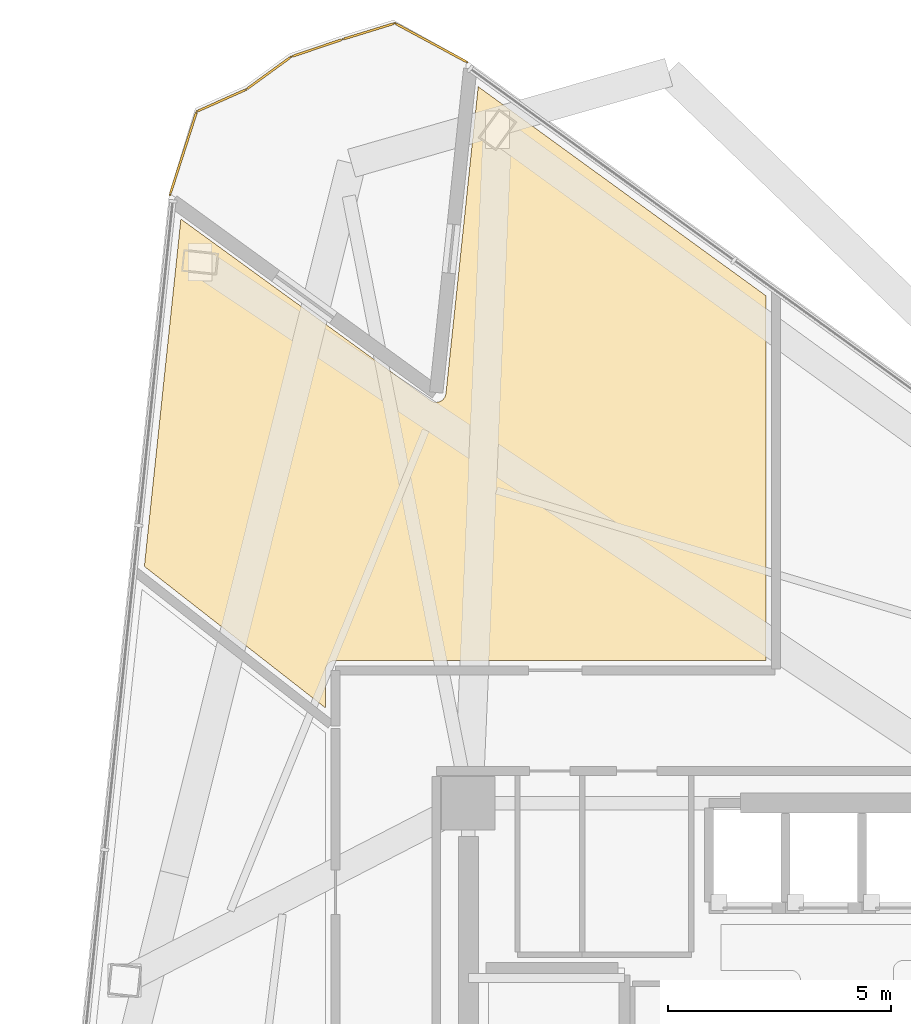
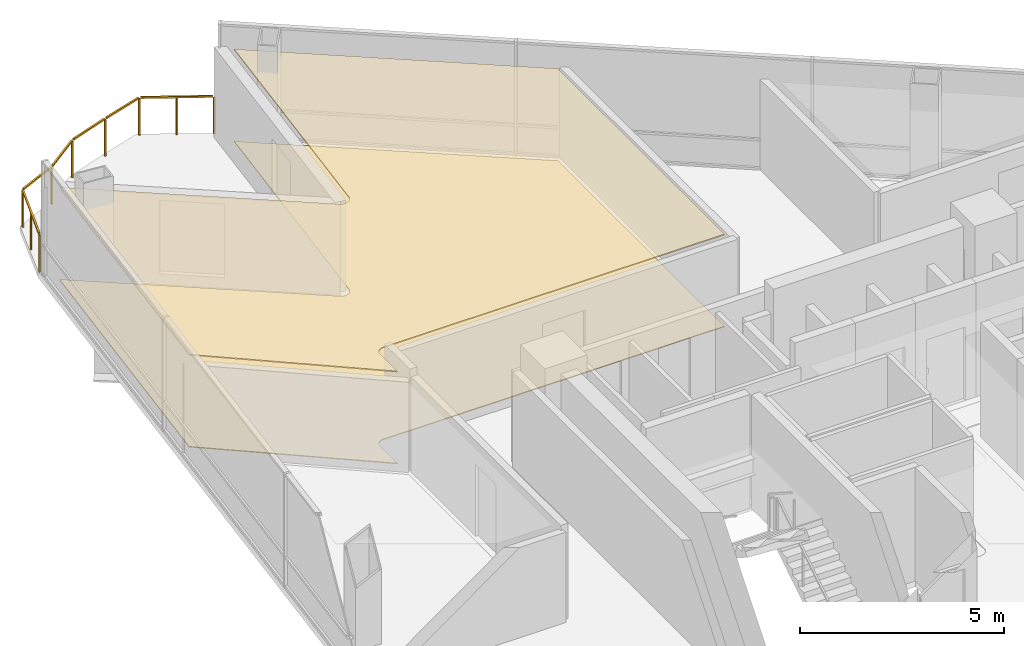
# One storey, part 17 of 17: 2 coverings, 1 railing.
"""IFC4 building model written with IfcOpenShell, lengths in metres."""

import ifcopenshell
import ifcopenshell.guid

model = None  # the IFC model being written
_history = None  # IfcOwnerHistory: only IFC2X3 demands one
_inside = {}  # id of a spatial element -> (the spatial element, [elements in it])
_under = {}  # id of a project, library or spatial element -> (it, [spatial elements below it])
_declared = {}  # id of a project -> (the project, [libraries it declares])
_typed = {}  # id of a type object -> (the type object, [elements of that type])
_made_of = {}  # id of a material, layer set ... -> (it, [elements and type objects made of it])


def new_model(schema):
    """Start an empty IFC model of exactly this schema.

    Asked for "IFC4X3", IfcOpenShell would pick the latest addendum, in which some entities
    have other attributes; the version numbers below select the first issue.
    IFC2X3 requires an IfcOwnerHistory on every rooted entity: one is made here for all.
    """
    global model, _history
    if schema == "IFC4X3":
        model = ifcopenshell.file(schema_version=(4, 3, 0, 0))
    else:
        model = ifcopenshell.file(schema=schema)
    _inside.clear()
    _under.clear()
    _declared.clear()
    _typed.clear()
    _made_of.clear()
    _history = None
    if model.schema == "IFC2X3":
        org = make("IfcOrganization", Name="unknown")
        user = make(
            "IfcPersonAndOrganization",
            ThePerson=make("IfcPerson", FamilyName="unknown"),
            TheOrganization=org,
        )
        app = make(
            "IfcApplication",
            ApplicationDeveloper=org,
            Version="unknown",
            ApplicationFullName="unknown",
            ApplicationIdentifier="unknown",
        )
        _history = make(
            "IfcOwnerHistory",
            OwningUser=user,
            OwningApplication=app,
            ChangeAction="ADDED",
            CreationDate=0,
        )
    return model


def make(cls, **values):
    """One entity of the class cls with the attributes given. An attribute that is None is left unset."""
    return model.create_entity(
        cls, **{name: value for name, value in values.items() if value is not None}
    )


def rooted(cls, **values):
    """An entity with a GlobalId (a new one), such as an element, a storey or a relation."""
    return make(cls, GlobalId=ifcopenshell.guid.new(), OwnerHistory=_history, **values)


def si_unit(unit_type, name, prefix=None):
    """IfcSIUnit, for example si_unit("LENGTHUNIT", "METRE", prefix="MILLI")."""
    return make("IfcSIUnit", UnitType=unit_type, Prefix=prefix, Name=name)


def assignment(units):
    """IfcUnitAssignment: the units of a project."""
    return None if units is None else make("IfcUnitAssignment", Units=units)


def point(xyz):
    """IfcCartesianPoint."""
    return None if xyz is None else make("IfcCartesianPoint", Coordinates=xyz)


def direction(xyz):
    """IfcDirection."""
    return None if xyz is None else make("IfcDirection", DirectionRatios=xyz)


def frame(location, z_axis=None, x_axis=None):
    """IfcAxis2Placement3D, a coordinate frame: its origin and axes. An axis left out is left unset."""
    return make(
        "IfcAxis2Placement3D",
        Location=point(location),
        Axis=direction(z_axis),
        RefDirection=direction(x_axis),
    )


def frame_2d(location, x_axis=None):
    """IfcAxis2Placement2D, a coordinate frame in the plane: its origin and x axis."""
    return make(
        "IfcAxis2Placement2D", Location=point(location), RefDirection=direction(x_axis)
    )


def origin():
    """The frame at (0, 0, 0) with its axes left unset."""
    return frame((0.0, 0.0, 0.0))


def origin_2d():
    """The frame at (0, 0) in the plane with its x axis left unset."""
    return frame_2d((0.0, 0.0))


def place(relative_to, where):
    """IfcLocalPlacement: puts the frame where relative to a parent placement (None: the world)."""
    return make(
        "IfcLocalPlacement", PlacementRelTo=relative_to, RelativePlacement=where
    )


def context(
    kind, dimensions, precision=None, world=None, true_north=None, identifier=None
):
    """IfcGeometricRepresentationContext, for example the 3D "Model" context."""
    return make(
        "IfcGeometricRepresentationContext",
        ContextIdentifier=identifier,
        ContextType=kind,
        CoordinateSpaceDimension=dimensions,
        Precision=precision,
        WorldCoordinateSystem=world,
        TrueNorth=true_north,
    )


def subcontext(parent, identifier, kind, view, scale=None):
    """IfcGeometricRepresentationSubContext, for example "Body" below "Model"."""
    return make(
        "IfcGeometricRepresentationSubContext",
        ContextIdentifier=identifier,
        ContextType=kind,
        ParentContext=parent,
        TargetScale=scale,
        TargetView=view,
    )


def project(units=None, contexts=None):
    """IfcProject with its units and contexts."""
    return rooted(
        "IfcProject",
        Name="project",
        RepresentationContexts=contexts,
        UnitsInContext=assignment(units),
    )


def spatial(cls, under=None, at=None, **own):
    """A site, building, storey or space (cls), placed at a placement, below another one or the project."""
    s = rooted(cls, ObjectPlacement=at, **own)
    if under is not None:
        _under.setdefault(under.id(), (under, []))[1].append(s)
    return s


def polyline(points):
    """IfcPolyline through the points."""
    return make("IfcPolyline", Points=[point(p) for p in points])


def profile(cls, at=None, kind="AREA", **sizes):
    """A parametric profile (cls). Its sizes go by their IFC names, for example OverallWidth=200.0."""
    return make(cls, ProfileType=kind, Position=at, **sizes)


def rectangle(**sizes):
    """IfcRectangleProfileDef."""
    return profile("IfcRectangleProfileDef", **sizes)


def outline(outer, holes=None, kind="AREA"):
    """IfcArbitraryClosedProfileDef: a profile drawn as a closed curve; with holes, ...WithVoids."""
    if holes is None:
        return make("IfcArbitraryClosedProfileDef", ProfileType=kind, OuterCurve=outer)
    return make(
        "IfcArbitraryProfileDefWithVoids",
        ProfileType=kind,
        OuterCurve=outer,
        InnerCurves=holes,
    )


def extrude(swept, where, along, depth):
    """IfcExtrudedAreaSolid: the profile swept, set in the frame where, extruded along a direction by depth."""
    return make(
        "IfcExtrudedAreaSolid",
        SweptArea=swept,
        Position=where,
        ExtrudedDirection=direction(along),
        Depth=depth,
    )


def shape(context_of_items, identifier, shape_type, items):
    """IfcShapeRepresentation: the items that make up one representation, for example the "Body"."""
    return make(
        "IfcShapeRepresentation",
        ContextOfItems=context_of_items,
        RepresentationIdentifier=identifier,
        RepresentationType=shape_type,
        Items=items,
    )


def material(Name=None, Category=None):
    """IfcMaterial."""
    return make("IfcMaterial", Name=Name, Category=Category)


def layer(
    of_material, thickness, ventilated=None, Name=None, Category=None, Priority=None
):
    """IfcMaterialLayer: one layer of a wall or slab, of a material (None: an air gap)."""
    return make(
        "IfcMaterialLayer",
        Material=of_material,
        LayerThickness=thickness,
        IsVentilated=ventilated,
        Name=Name,
        Category=Category,
        Priority=Priority,
    )


def layer_set(layers, Name=None):
    """IfcMaterialLayerSet."""
    return make("IfcMaterialLayerSet", MaterialLayers=layers, LayerSetName=Name)


def made_of(thing, what):
    """Note that an element or type object is made of a material, layer set ...; save() writes the relation."""
    if what is not None:
        _made_of.setdefault(what.id(), (what, []))[1].append(thing)
    return thing


def type_object(cls, material=None, **own):
    """A type object (cls), such as IfcWallType, which elements share."""
    return made_of(rooted(cls, **own), material)


def element(
    cls,
    number,
    at=None,
    inside=None,
    cuts=None,
    type_object=None,
    material=None,
    context=None,
    identifier="Body",
    shape_type=None,
    held_by="IfcProductDefinitionShape",
    body=None,
    shapes=None,
    **own,
):
    """One element of the class cls, such as IfcWall. Its Tag is "e" and its number.

    at: its placement. inside: the storey or other place that contains it. cuts: it is an
    opening in that element (IfcRelVoidsElement). A single representation is given by context,
    identifier, shape_type and body (its items); several are given by shapes. held_by: the class
    of the entity that holds the representations. save() writes the other relations.
    """
    e = rooted(cls, Tag="e%d" % number, ObjectPlacement=at, **own)
    if body is not None:
        shapes = [shape(context, identifier, shape_type, body)]
    if shapes is not None:
        e.Representation = make(held_by, Representations=shapes)
    if inside is not None:
        _inside.setdefault(inside.id(), (inside, []))[1].append(e)
    if cuts is not None:
        rooted(
            "IfcRelVoidsElement", RelatingBuildingElement=cuts, RelatedOpeningElement=e
        )
    if type_object is not None:
        _typed.setdefault(type_object.id(), (type_object, []))[1].append(e)
    return made_of(e, material)


def aggregate(whole, parts):
    """IfcRelAggregates: a whole, such as a stair, and the parts it consists of."""
    return rooted("IfcRelAggregates", RelatingObject=whole, RelatedObjects=parts)


def save(model, path):
    """Write the relations noted so far, then the file.

    IfcRelAggregates (storeys below a building ...), IfcRelContainedInSpatialStructure (elements
    in a storey), IfcRelDefinesByType, IfcRelAssociatesMaterial and IfcRelDeclares: one each for
    every whole, place, type object, material and project.
    """
    for whole, parts in _under.values():
        aggregate(whole, parts)
    for where, things in _inside.values():
        rooted(
            "IfcRelContainedInSpatialStructure",
            RelatedElements=things,
            RelatingStructure=where,
        )
    for kind, things in _typed.values():
        rooted("IfcRelDefinesByType", RelatedObjects=things, RelatingType=kind)
    for what, things in _made_of.values():
        rooted("IfcRelAssociatesMaterial", RelatedObjects=things, RelatingMaterial=what)
    for by, libraries in _declared.values():
        rooted("IfcRelDeclares", RelatingContext=by, RelatedDefinitions=libraries)
    model.write(path)


model = new_model("IFC4")

# Units and contexts
model_context = context("Model", 3, precision=1e-05, world=origin(), true_north=direction((0.0, 1.0)))
body_context = subcontext(model_context, "Body", "Model", "MODEL_VIEW")
ifc_project = project(units=[si_unit("LENGTHUNIT", "METRE"), si_unit("AREAUNIT", "SQUARE_METRE"), si_unit("VOLUMEUNIT", "CUBIC_METRE"), si_unit("PLANEANGLEUNIT", "RADIAN"), si_unit("MASSUNIT", "GRAM", prefix="KILO")], contexts=[model_context])

# Site, building, storey
site_placement = place(None, origin())
site = spatial("IfcSite", under=ifc_project, at=site_placement, CompositionType="ELEMENT")
building_placement = place(site_placement, origin())
building = spatial("IfcBuilding", under=site, at=building_placement, Name="Tharavind Bronze Gate", CompositionType="ELEMENT")
storey_placement = place(building_placement, frame((0.0, 0.0, 112.449951171875)))
storey = spatial("IfcBuildingStorey", under=building, at=storey_placement, Name="L28", CompositionType="ELEMENT", Elevation=112.449951171875)

# Coverings
ifc_material_1 = material(Name="Perforated Bronze Acoustic Panel", Category="bronze")
ifc_layer_1 = layer(ifc_material_1, 0.044921875)
ifc_layer_set_1 = layer_set([ifc_layer_1], Name="Perforated Bronze Acoustic Panel")
covering_type_1 = type_object("IfcCoveringType", Name="ACOUSTIC BRONZE BAFFLE CEILING", PredefinedType="CEILING", material=ifc_layer_set_1)
covering_1_placement = place(storey_placement, frame((0.0, 0.0, 2.75)))
element("IfcCovering", 1, at=covering_1_placement, inside=storey, type_object=covering_type_1, Name="L28-RM-02 suspended ceiling", PredefinedType="CEILING", context=body_context, shape_type="SweptSolid", body=[
    extrude(outline(polyline([(-12.10009765625, 9.732666015625), (-12.10009765625, 10.579345703125), (-12.099609375, 10.590087890625), (-12.099609375, 10.5908203125), (-12.09765625, 10.6123046875), (-12.093505859375, 10.63330078125), (-12.087158203125, 10.654052734375), (-12.078857421875, 10.674072265625), (-12.068603515625, 10.693115234375), (-12.056640625, 10.7109375), (-12.04296875, 10.727783203125), (-12.027587890625, 10.742919921875), (-12.010986328125, 10.756591796875), (-11.9931640625, 10.768798828125), (-11.97412109375, 10.77880859375), (-11.9541015625, 10.787109375), (-11.933349609375, 10.79345703125), (-11.912353515625, 10.797607421875), (-11.890869140625, 10.7998046875), (-11.89013671875, 10.7998046875), (-11.87939453125, 10.800048828125), (-2.219970703125, 10.800048828125), (-2.219970703125, 18.9755859375), (-8.6796875, 23.6689453125), (-9.40283203125, 16.78857421875), (-9.404296875, 16.777587890625), (-9.404296875, 16.777099609375), (-9.408935546875, 16.755615234375), (-9.41552734375, 16.734619140625), (-9.424072265625, 16.714599609375), (-9.434814453125, 16.6953125), (-9.447021484375, 16.67724609375), (-9.461181640625, 16.660400390625), (-9.47705078125, 16.645263671875), (-9.494384765625, 16.631591796875), (-9.5126953125, 16.619873046875), (-9.5322265625, 16.610107421875), (-9.552734375, 16.60205078125), (-9.573974609375, 16.59619140625), (-9.595703125, 16.592529296875), (-9.617431640625, 16.591064453125), (-9.639404296875, 16.591796875), (-9.6611328125, 16.594482421875), (-9.6826171875, 16.599609375), (-9.703125, 16.606689453125), (-9.72314453125, 16.61572265625), (-9.7421875, 16.626708984375), (-9.74267578125, 16.627197265625), (-9.751708984375, 16.63330078125), (-15.3486328125, 20.69970703125), (-16.167236328125, 12.910400390625), (-12.10009765625, 9.732666015625)])), origin(), (0.0, 0.0, 1.0), 0.03515625),
])
ifc_material_2 = material(Name="Engineered Oak & Carpet Tile", Category="wood")
ifc_layer_2 = layer(ifc_material_2, 0.02490234375)
ifc_layer_set_2 = layer_set([ifc_layer_2], Name="Engineered Oak & Carpet Tile")
covering_type_2 = type_object("IfcCoveringType", Name="ENGINEERED TIMBER FLOORING", PredefinedType="FLOORING", material=ifc_layer_set_2)
covering_2_placement = place(storey_placement, origin())
element("IfcCovering", 2, at=covering_2_placement, inside=storey, type_object=covering_type_2, Name="L28-RM-02 floor finish", PredefinedType="FLOORING", context=body_context, shape_type="SweptSolid", body=[
    extrude(outline(polyline([(-12.10009765625, 9.732666015625), (-12.10009765625, 10.579345703125), (-12.099609375, 10.590087890625), (-12.099609375, 10.5908203125), (-12.09765625, 10.6123046875), (-12.093505859375, 10.63330078125), (-12.087158203125, 10.654052734375), (-12.078857421875, 10.674072265625), (-12.068603515625, 10.693115234375), (-12.056640625, 10.7109375), (-12.04296875, 10.727783203125), (-12.027587890625, 10.742919921875), (-12.010986328125, 10.756591796875), (-11.9931640625, 10.768798828125), (-11.97412109375, 10.77880859375), (-11.9541015625, 10.787109375), (-11.933349609375, 10.79345703125), (-11.912353515625, 10.797607421875), (-11.890869140625, 10.7998046875), (-11.89013671875, 10.7998046875), (-11.87939453125, 10.800048828125), (-2.219970703125, 10.800048828125), (-2.219970703125, 18.9755859375), (-8.6796875, 23.6689453125), (-9.40283203125, 16.78857421875), (-9.404296875, 16.777587890625), (-9.404296875, 16.777099609375), (-9.408935546875, 16.755615234375), (-9.41552734375, 16.734619140625), (-9.424072265625, 16.714599609375), (-9.434814453125, 16.6953125), (-9.447021484375, 16.67724609375), (-9.461181640625, 16.660400390625), (-9.47705078125, 16.645263671875), (-9.494384765625, 16.631591796875), (-9.5126953125, 16.619873046875), (-9.5322265625, 16.610107421875), (-9.552734375, 16.60205078125), (-9.573974609375, 16.59619140625), (-9.595703125, 16.592529296875), (-9.617431640625, 16.591064453125), (-9.639404296875, 16.591796875), (-9.6611328125, 16.594482421875), (-9.6826171875, 16.599609375), (-9.703125, 16.606689453125), (-9.72314453125, 16.61572265625), (-9.7421875, 16.626708984375), (-9.74267578125, 16.627197265625), (-9.751708984375, 16.63330078125), (-15.3486328125, 20.69970703125), (-16.167236328125, 12.910400390625), (-12.10009765625, 9.732666015625)])), origin(), (0.0, 0.0, 1.0), 0.025146484375),
])

# Railing
ifc_material_3 = material(Name="Bronze Cap & Laminated Glass", Category="glass")
railing_type = type_object("IfcRailingType", Name="TERRACE GLASS GUARD RAILING 1150", PredefinedType="GUARDRAIL", material=ifc_material_3)
railing_placement = place(storey_placement, frame((-15.5927734375, 21.247802734375, 0.0)))
element("IfcRailing", 3, at=railing_placement, inside=storey, type_object=railing_type, Name="L28 tree balcony guard railing", PredefinedType="GUARDRAIL", context=body_context, shape_type="SweptSolid", body=[
    extrude(rectangle(XDim=0.048095703125, YDim=0.048095703125, at=origin_2d()), frame((0.009765625, 0.030517578125, 1.1259765625), z_axis=(0.305964803424, 0.952042824176, 0.0), x_axis=(-0.952042824176, 0.305964803424, 0.0)), (0.0, 0.0, 1.0), 1.89501953125),
    extrude(rectangle(XDim=0.048095703125, YDim=0.048095703125, at=origin_2d()), frame((0.628662109375, 1.8779296875, 1.1259765625), z_axis=(0.913480304847, 0.406882947119, 0.0), x_axis=(-0.406882947119, 0.913480304847, 0.0)), (0.0, 0.0, 1.0), 1.15283203125),
    extrude(rectangle(XDim=0.048095703125, YDim=0.048095703125, at=origin_2d()), frame((1.73681640625, 2.37890625, 1.1259765625), z_axis=(0.808328551704, 0.588731647272, 0.0), x_axis=(-0.588731647272, 0.808328551704, 0.0)), (0.0, 0.0, 1.0), 1.18017578125),
    extrude(rectangle(XDim=0.048095703125, YDim=0.048095703125, at=origin_2d()), frame((2.746826171875, 3.102783203125, 1.1259765625), z_axis=(0.947113235221, 0.32089954763, 0.0), x_axis=(-0.32089954763, 0.947113235221, 0.0)), (0.0, 0.0, 1.0), 1.157958984375),
    extrude(rectangle(XDim=0.048095703125, YDim=0.048095703125, at=origin_2d()), frame((3.904296875, 3.493896484375, 1.1259765625), z_axis=(0.955925323722, 0.293609903556, 0.0), x_axis=(-0.293609903556, 0.955925323722, 0.0)), (0.0, 0.0, 1.0), 1.16162109375),
    extrude(rectangle(XDim=0.048095703125, YDim=0.048095703125, at=origin_2d()), frame((5.073486328125, 3.829345703125, 1.1259765625), z_axis=(0.880237226365, -0.474533903236, 0.0), x_axis=(0.474533903236, 0.880237226365, 0.0)), (0.0, 0.0, 1.0), 1.780517578125),
    extrude(rectangle(XDim=0.0400390625, YDim=0.0400390625, at=origin_2d()), origin(), (0.0, 0.0, 1.0), 1.097900390625),
    extrude(rectangle(XDim=0.0400390625, YDim=0.0400390625, at=origin_2d()), frame((0.2998046875, 0.9326171875, 0.0)), (0.0, 0.0, 1.0), 1.097900390625),
    extrude(rectangle(XDim=0.0400390625, YDim=0.0400390625, at=origin_2d()), frame((0.599365234375, 1.864990234375, 0.0)), (0.0, 0.0, 1.0), 1.097900390625),
    extrude(rectangle(XDim=0.0400390625, YDim=0.0400390625, at=origin_2d()), frame((1.7109375, 2.360107421875, 0.0)), (0.0, 0.0, 1.0), 1.097900390625),
    extrude(rectangle(XDim=0.0400390625, YDim=0.0400390625, at=origin_2d()), frame((2.716552734375, 3.092529296875, 0.0)), (0.0, 0.0, 1.0), 1.097900390625),
    extrude(rectangle(XDim=0.0400390625, YDim=0.0400390625, at=origin_2d()), frame((3.873779296875, 3.484619140625, 0.0)), (0.0, 0.0, 1.0), 1.097900390625),
    extrude(rectangle(XDim=0.0400390625, YDim=0.0400390625, at=origin_2d()), frame((5.04541015625, 3.844482421875, 0.0)), (0.0, 0.0, 1.0), 1.097900390625),
    extrude(rectangle(XDim=0.0400390625, YDim=0.0400390625, at=origin_2d()), frame((5.857177734375, 3.40673828125, 0.0)), (0.0, 0.0, 1.0), 1.097900390625),
    extrude(rectangle(XDim=0.0400390625, YDim=0.0400390625, at=origin_2d()), frame((6.6689453125, 2.96923828125, 0.0)), (0.0, 0.0, 1.0), 1.097900390625),
])

save(model, "model.ifc")
